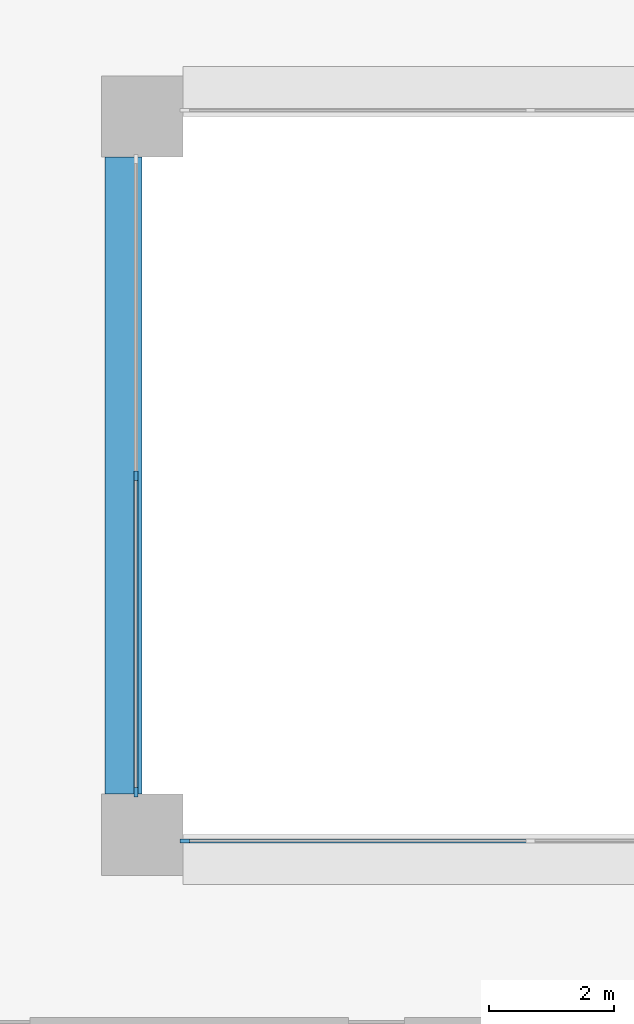
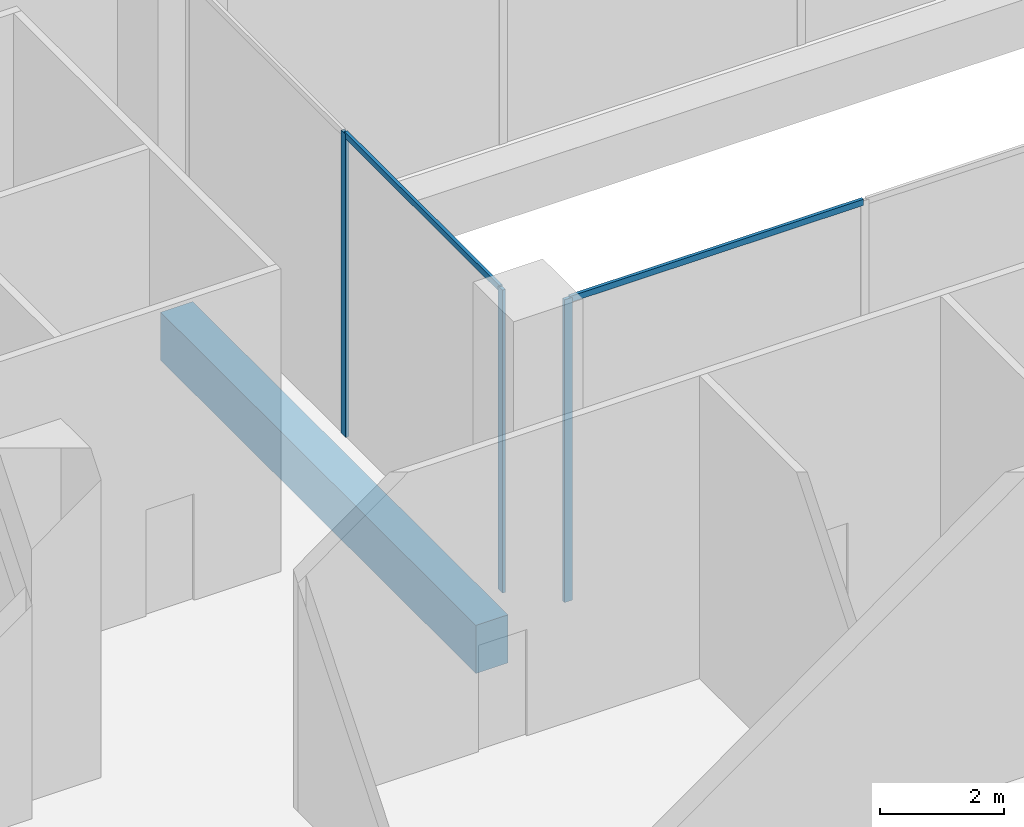
# One storey, part 3 of 21: 5 members, 1 beam, 2 elements without a shape of their own.
"""IFC4 building model written with IfcOpenShell, lengths in metres."""

from ifc_helpers import new_model, si_unit, direction, frame, origin, origin_2d, place, context, subcontext, project, spatial, rectangle, extrude, material, layer, layer_set, material_profile, profile_set, type_object, element, aggregate, save


model = new_model("IFC4")

# Units and contexts
model_context = context("Model", 3, precision=1e-05, world=origin(), true_north=direction((0.0, 1.0)))
body_context = subcontext(model_context, "Body", "Model", "MODEL_VIEW")
ifc_project = project(units=[si_unit("LENGTHUNIT", "METRE"), si_unit("AREAUNIT", "SQUARE_METRE"), si_unit("VOLUMEUNIT", "CUBIC_METRE"), si_unit("PLANEANGLEUNIT", "RADIAN"), si_unit("MASSUNIT", "GRAM", prefix="KILO")], contexts=[model_context])

# Site, building, storey
site_placement = place(None, origin())
site = spatial("IfcSite", under=ifc_project, at=site_placement, CompositionType="ELEMENT")
building_placement = place(site_placement, origin())
building = spatial("IfcBuilding", under=site, at=building_placement, Name="Brigalow Station Residences", CompositionType="ELEMENT")
storey_placement = place(building_placement, frame((0.0, 0.0, 77.25)))
storey = spatial("IfcBuildingStorey", under=building, at=storey_placement, Name="L22", CompositionType="ELEMENT", Elevation=77.25)

# Beam
ifc_material_1 = material(Name="Concrete C65", Category="concrete")
ifc_material_profile_1 = material_profile(ifc_material_1, rectangle(XDim=0.60009765625, YDim=0.949951171875, at=origin_2d()), Name="RC600x950")
ifc_profile_set_1 = profile_set([ifc_material_profile_1], Name="Concrete C65")
beam_type = type_object("IfcBeamType", Name="ATRIUM EDGE GIRDER 600x950 C65", PredefinedType="BEAM", material=ifc_profile_set_1)
beam_placement = place(storey_placement, frame((26.699951171875, 24.64990234375, -0.97509765625), z_axis=(0.0, 1.0, 0.0), x_axis=(-1.0, 0.0, 0.0)))
element("IfcBeam", 1, at=beam_placement, inside=storey, type_object=beam_type, Name="ATRIUM EDGE GIRDER 3 L22", PredefinedType="BEAM", context=body_context, shape_type="SweptSolid", body=[
    extrude(rectangle(XDim=0.60009765625, YDim=0.949951171875, at=origin_2d()), origin(), (0.0, 0.0, 1.0), 10.2001953125),
])

# Curtain wall, member
ifc_material_2 = material(Name="Aluminium", Category="aluminium")
ifc_layer = layer(ifc_material_2, 0.14990234375)
ifc_layer_set = layer_set([ifc_layer], Name="ATRIUM FIRE-RATED GLAZING CURTAIN WALL")
curtain_wall_type = type_object("IfcCurtainWallType", Name="ATRIUM FIRE-RATED GLAZING CURTAIN WALL", PredefinedType="NOTDEFINED", material=ifc_layer_set)
curtain_wall_1_placement = place(storey_placement, origin())
curtain_wall_1 = element("IfcCurtainWall", 2, at=curtain_wall_1_placement, inside=storey, type_object=curtain_wall_type, Name="L22/cw/atrium-S", PredefinedType="NOTDEFINED")
ifc_material_3 = material(Name="Aluminium", Category="aluminium")
ifc_material_profile_2 = material_profile(ifc_material_3, rectangle(XDim=0.06005859375, YDim=0.14990234375, at=origin_2d()), Name="ATRIUM FIRE-RATED GLAZING MULLION 60x150")
ifc_profile_set_2 = profile_set([ifc_material_profile_2], Name="Aluminium")
member_type_1 = type_object("IfcMemberType", Name="ATRIUM FIRE-RATED GLAZING MULLION 60x150", PredefinedType="MULLION", material=ifc_profile_set_2)
member_1_placement = place(storey_placement, frame((27.679931640625, 23.89990234375, 0.0), z_axis=(0.0, 0.0, 1.0), x_axis=(0.0, 1.0, 0.0)))
member_1 = element("IfcMember", 3, at=member_1_placement, type_object=member_type_1, Name="L22/cw/atrium-S/M00", PredefinedType="MULLION", context=body_context, shape_type="SweptSolid", body=[
    extrude(rectangle(XDim=0.06005859375, YDim=0.14990234375, at=origin_2d()), origin(), (0.0, 0.0, 1.0), 5.97998046875),
])

# Curtain wall, members
curtain_wall_2_placement = place(storey_placement, origin())
curtain_wall_2 = element("IfcCurtainWall", 4, at=curtain_wall_2_placement, inside=storey, type_object=curtain_wall_type, Name="L22/cw/atrium-W", PredefinedType="NOTDEFINED")
member_2_placement = place(storey_placement, frame((26.89990234375, 29.75, 0.0), z_axis=(0.0, 0.0, 1.0), x_axis=(1.0, 0.0, 0.0)))
member_2 = element("IfcMember", 5, at=member_2_placement, type_object=member_type_1, Name="L22/cw/atrium-W/M01", PredefinedType="MULLION", context=body_context, shape_type="SweptSolid", body=[
    extrude(rectangle(XDim=0.06005859375, YDim=0.14990234375, at=origin_2d()), origin(), (0.0, 0.0, 1.0), 5.97998046875),
])
member_3_placement = place(storey_placement, frame((26.89990234375, 24.679931640625, 0.0), z_axis=(0.0, 0.0, 1.0), x_axis=(1.0, 0.0, 0.0)))
member_3 = element("IfcMember", 6, at=member_3_placement, type_object=member_type_1, Name="L22/cw/atrium-W/M02", PredefinedType="MULLION", context=body_context, shape_type="SweptSolid", body=[
    extrude(rectangle(XDim=0.06005859375, YDim=0.14990234375, at=origin_2d()), origin(), (0.0, 0.0, 1.0), 5.97998046875),
])

# Member
ifc_material_4 = material(Name="Aluminium", Category="aluminium")
ifc_material_profile_3 = material_profile(ifc_material_4, rectangle(XDim=0.06005859375, YDim=0.1201171875, at=origin_2d()), Name="ATRIUM FIRE-RATED GLAZING TRANSOM 60x120")
ifc_profile_set_3 = profile_set([ifc_material_profile_3], Name="Aluminium")
member_type_2 = type_object("IfcMemberType", Name="ATRIUM FIRE-RATED GLAZING TRANSOM 60x120", PredefinedType="USERDEFINED", material=ifc_profile_set_3)
member_4_placement = place(storey_placement, frame((27.7099609375, 23.89990234375, 5.949951171875), z_axis=(1.0, 0.0, 0.0), x_axis=(0.0, 1.0, 0.0)))
member_4 = element("IfcMember", 7, at=member_4_placement, type_object=member_type_2, Name="L22/cw/atrium-S/T00-00", ObjectType="TRANSOM", PredefinedType="USERDEFINED", context=body_context, shape_type="SweptSolid", body=[
    extrude(rectangle(XDim=0.06005859375, YDim=0.1201171875, at=origin_2d()), origin(), (0.0, 0.0, 1.0), 5.476806640625),
])

aggregate(curtain_wall_1, [member_1, member_4])

member_5_placement = place(storey_placement, frame((26.89990234375, 29.719970703125, 5.949951171875), z_axis=(0.0, -1.0, 0.0), x_axis=(1.0, 0.0, 0.0)))
member_5 = element("IfcMember", 8, at=member_5_placement, type_object=member_type_2, Name="L22/cw/atrium-W/T01-00", ObjectType="TRANSOM", PredefinedType="USERDEFINED", context=body_context, shape_type="SweptSolid", body=[
    extrude(rectangle(XDim=0.06005859375, YDim=0.1201171875, at=origin_2d()), origin(), (0.0, 0.0, 1.0), 5.010009765625),
])

aggregate(curtain_wall_2, [member_2, member_3, member_5])

save(model, "model.ifc")
